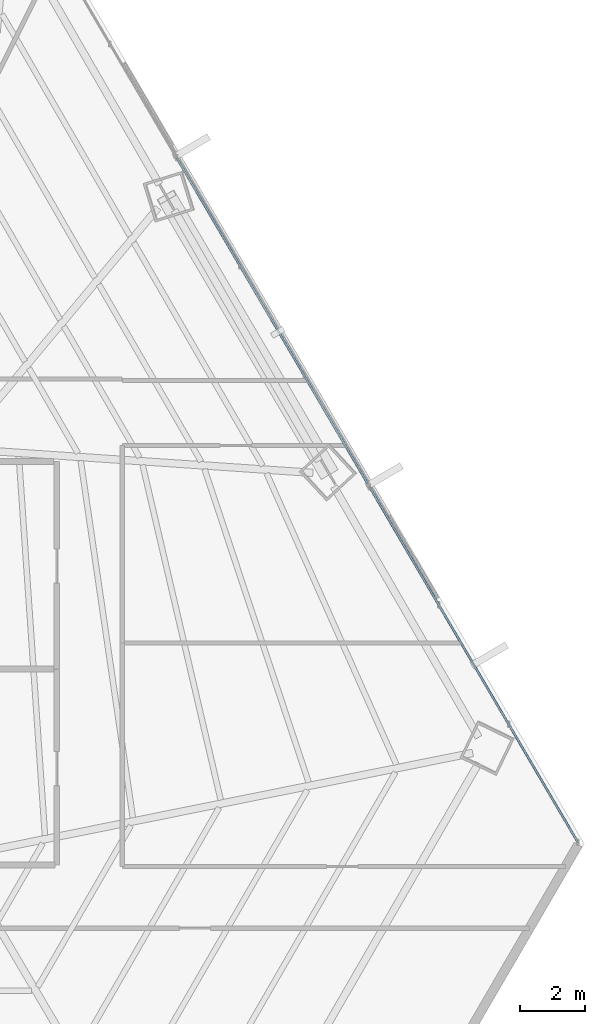
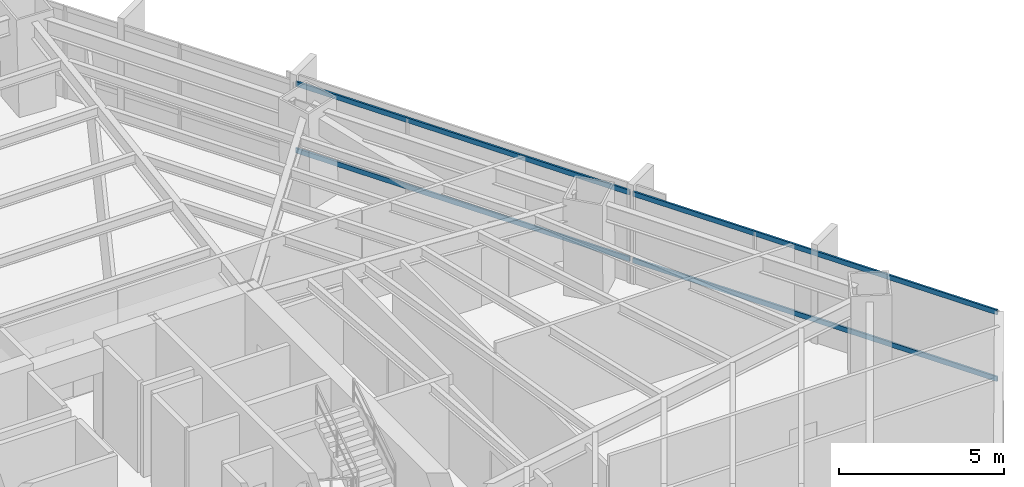
# One storey, part 20 of 33: 4 members, 2 elements without a shape of their own.
"""IFC4 building model written with IfcOpenShell, lengths in metres."""

from ifc_helpers import new_model, si_unit, direction, frame, origin, origin_2d, place, context, subcontext, project, spatial, hollow_rectangle, extrude, source, transform, mapped, material, material_profile, profile_set, type_object, type_shapes, element, aggregate, save


model = new_model("IFC4")

# Units and contexts
model_context = context("Model", 3, precision=1e-05, world=origin(), true_north=direction((0.0, 1.0)))
body_context = subcontext(model_context, "Body", "Model", "MODEL_VIEW")
ifc_project = project(units=[si_unit("LENGTHUNIT", "METRE"), si_unit("AREAUNIT", "SQUARE_METRE"), si_unit("VOLUMEUNIT", "CUBIC_METRE"), si_unit("PLANEANGLEUNIT", "RADIAN"), si_unit("MASSUNIT", "GRAM", prefix="KILO")], contexts=[model_context])

# Site, building, storey
site_placement = place(None, origin())
site = spatial("IfcSite", under=ifc_project, at=site_placement, CompositionType="ELEMENT")
building_placement = place(site_placement, origin())
building = spatial("IfcBuilding", under=site, at=building_placement, Name="Caelisora Broadcast Tower", CompositionType="ELEMENT")
storey_placement = place(building_placement, frame((0.0, 0.0, 34.89990234375)))
storey = spatial("IfcBuildingStorey", under=building, at=storey_placement, Name="L08", CompositionType="ELEMENT", Elevation=34.89990234375)

# Curtain wall, members
ifc_material_1 = material(Name="Unitised Aluminium Insulated Shadow-Box Spandrel Curtain Wall", Category="aluminium")
curtain_wall_type_1 = type_object("IfcCurtainWallType", Name="CW-SP1", PredefinedType="NOTDEFINED", material=ifc_material_1)
curtain_wall_1_placement = place(storey_placement, origin())
curtain_wall_1 = element("IfcCurtainWall", 1, at=curtain_wall_1_placement, inside=storey, type_object=curtain_wall_type_1, Name="L08 curtain wall CW-SP1", PredefinedType="NOTDEFINED")
ifc_material_2 = material(Name="Aluminium 6063-T6 Anodised Terracotta Bronze", Category="aluminium")
ifc_material_profile = material_profile(ifc_material_2, hollow_rectangle(XDim=0.06494140625, YDim=0.179931640625, WallThickness=0.00341796875, at=origin_2d()), Name="Aluminium 6063-T6 Anodised Terracotta Bronze")
ifc_profile_set = profile_set([ifc_material_profile], Name="Aluminium 6063-T6 Anodised Terracotta Bronze")
member_type = type_object("IfcMemberType", Name="CWT-01", PredefinedType="USERDEFINED", material=ifc_profile_set)
shared_shape_1 = source(origin(), body_context, "Body", "SweptSolid", [
    extrude(hollow_rectangle(XDim=0.06494140625, YDim=0.179931640625, WallThickness=0.00341796875, at=origin_2d()), origin(), (0.0, 0.0, 1.0), 11.660400390625),
])
member_1_placement = place(storey_placement, frame((52.277099609375, 38.981201171875, 0.85009765625), z_axis=(0.505646956917, -0.862740491087, 0.0), x_axis=(0.862740491087, 0.505646956917, 0.0)))
member_1 = element("IfcMember", 2, at=member_1_placement, type_object=member_type, Name="L08-CW-B02 transom #1", ObjectType="TRANSOM", PredefinedType="USERDEFINED", context=body_context, shape_type="MappedRepresentation", body=[
    mapped(shared_shape_1, transform((0.0, 0.0, 0.0), scale=1.0)),
])
member_2_placement = place(storey_placement, frame((52.277099609375, 38.981201171875, 3.320068359375), z_axis=(0.505646956917, -0.862740491087, 0.0), x_axis=(0.862740491087, 0.505646956917, 0.0)))
member_2 = element("IfcMember", 3, at=member_2_placement, type_object=member_type, Name="L08-CW-B02 transom #2", ObjectType="TRANSOM", PredefinedType="USERDEFINED", context=body_context, shape_type="MappedRepresentation", body=[
    mapped(shared_shape_1, transform((0.0, 0.0, 0.0), scale=1.0)),
])
aggregate(curtain_wall_1, [member_1, member_2])

ifc_material_3 = material(Name="Unitised Aluminium and Low-E Glass Curtain Wall", Category="glass")
curtain_wall_type_2 = type_object("IfcCurtainWallType", Name="CW-Z1", PredefinedType="NOTDEFINED", material=ifc_material_3)
curtain_wall_2_placement = place(storey_placement, origin())
curtain_wall_2 = element("IfcCurtainWall", 4, at=curtain_wall_2_placement, inside=storey, type_object=curtain_wall_type_2, Name="L08 curtain wall CW-Z1", PredefinedType="NOTDEFINED")
shared_shape_2 = source(origin(), body_context, "Body", "SweptSolid", [
    extrude(hollow_rectangle(XDim=0.06494140625, YDim=0.179931640625, WallThickness=0.00341796875, at=origin_2d()), origin(), (0.0, 0.0, 1.0), 12.7236328125),
])
type_shapes(member_type, [shared_shape_1, shared_shape_2])
member_3_placement = place(storey_placement, frame((58.22900390625, 28.826416015625, 0.85009765625), z_axis=(0.505639231021, -0.862745019141, 0.0), x_axis=(0.862745019141, 0.505639231021, 0.0)))
member_3 = element("IfcMember", 5, at=member_3_placement, type_object=member_type, Name="L08-CW-B03 transom #1", ObjectType="TRANSOM", PredefinedType="USERDEFINED", context=body_context, shape_type="MappedRepresentation", body=[
    mapped(shared_shape_2, transform((0.0, 0.0, 0.0), scale=1.0)),
])
member_4_placement = place(storey_placement, frame((58.22900390625, 28.826416015625, 3.320068359375), z_axis=(0.505639231021, -0.862745019141, 0.0), x_axis=(0.862745019141, 0.505639231021, 0.0)))
member_4 = element("IfcMember", 6, at=member_4_placement, type_object=member_type, Name="L08-CW-B03 transom #2", ObjectType="TRANSOM", PredefinedType="USERDEFINED", context=body_context, shape_type="MappedRepresentation", body=[
    mapped(shared_shape_2, transform((0.0, 0.0, 0.0), scale=1.0)),
])
aggregate(curtain_wall_2, [member_3, member_4])

save(model, "model.ifc")
